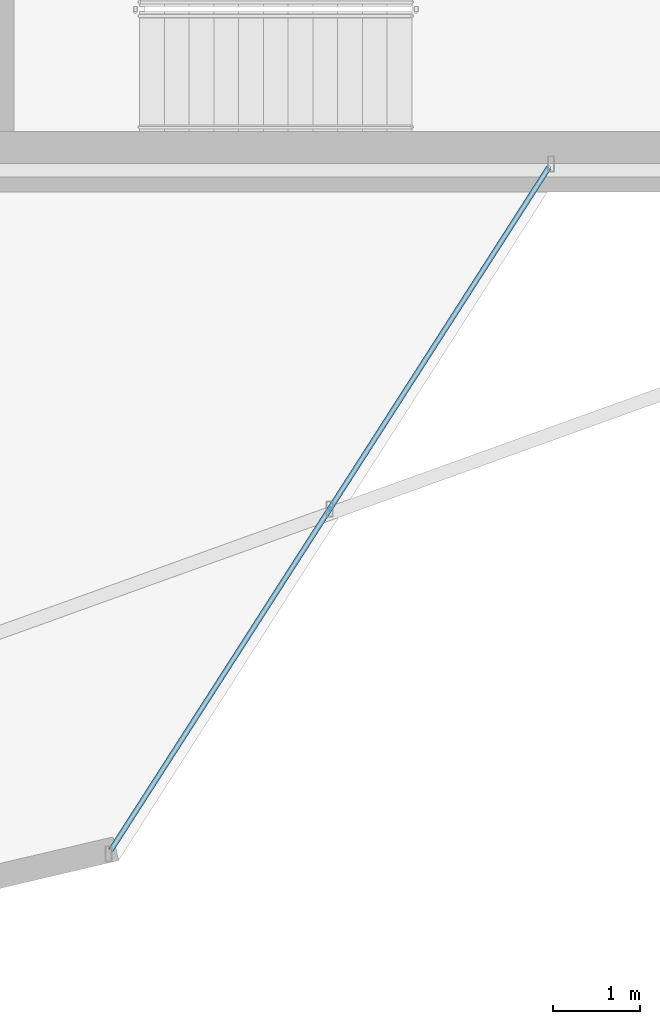
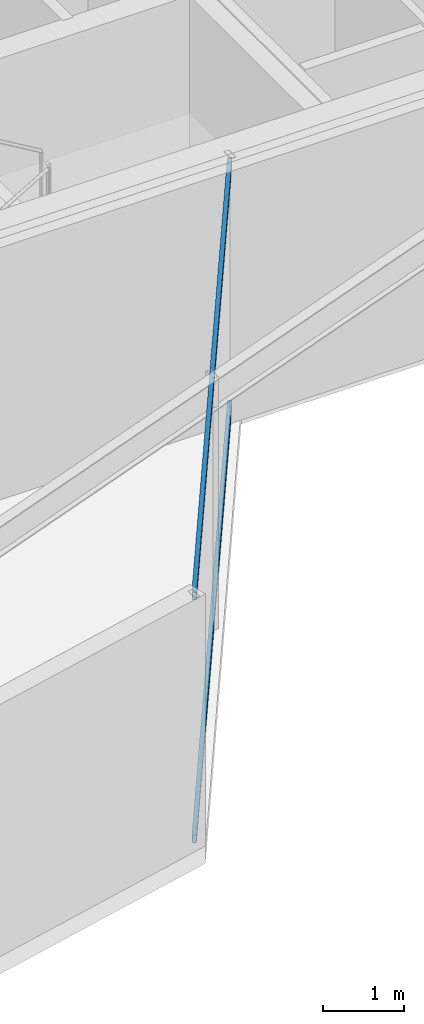
# One storey, part 7 of 23: 2 members, 1 element without a shape of its own.
"""IFC4 building model written with IfcOpenShell, lengths in metres."""

from ifc_helpers import new_model, si_unit, direction, frame, origin, origin_2d, place, context, subcontext, project, spatial, hollow_rectangle, extrude, material, layer, layer_set, material_profile, profile_set, type_object, element, aggregate, save


model = new_model("IFC4")

# Units and contexts
model_context = context("Model", 3, precision=1e-05, world=origin(), true_north=direction((0.0, 1.0)))
body_context = subcontext(model_context, "Body", "Model", "MODEL_VIEW")
ifc_project = project(units=[si_unit("LENGTHUNIT", "METRE"), si_unit("AREAUNIT", "SQUARE_METRE"), si_unit("VOLUMEUNIT", "CUBIC_METRE"), si_unit("PLANEANGLEUNIT", "RADIAN"), si_unit("MASSUNIT", "GRAM", prefix="KILO")], contexts=[model_context])

# Site, building, storey
site_placement = place(None, origin())
site = spatial("IfcSite", under=ifc_project, at=site_placement, CompositionType="ELEMENT")
building_placement = place(site_placement, origin())
building = spatial("IfcBuilding", under=site, at=building_placement, Name="Veymaron Broadcast Tower", CompositionType="ELEMENT")
storey_placement = place(building_placement, frame((0.0, 0.0, 191.85009765625)))
storey = spatial("IfcBuildingStorey", under=building, at=storey_placement, Name="L44", CompositionType="ELEMENT", Elevation=191.85009765625)

# Curtain wall, members
ifc_material_1 = material(Name="Anodised aluminium AA 6063-T6 and laminated low-E dark glass", Category="aluminium")
ifc_layer = layer(ifc_material_1, 0.179931640625)
ifc_layer_set = layer_set([ifc_layer], Name="Anodised aluminium AA 6063-T6 and laminated low-E dark glass")
curtain_wall_type = type_object("IfcCurtainWallType", Name="CW-SYS-05", PredefinedType="NOTDEFINED", material=ifc_layer_set)
curtain_wall_placement = place(storey_placement, origin())
curtain_wall = element("IfcCurtainWall", 1, at=curtain_wall_placement, inside=storey, type_object=curtain_wall_type, Name="L44 dark-glass curtain wall CW-L44-E20-1", PredefinedType="NOTDEFINED")
ifc_material_2 = material(Name="Anodised aluminium AA 6063-T6", Category="aluminium")
ifc_material_profile = material_profile(ifc_material_2, hollow_rectangle(XDim=0.06005859375, YDim=0.1201171875, WallThickness=0.00390625, at=origin_2d()), Name="AL120X60X4")
ifc_profile_set = profile_set([ifc_material_profile], Name="Anodised aluminium AA 6063-T6")
member_type = type_object("IfcMemberType", Name="CW-TRN-02", PredefinedType="USERDEFINED", material=ifc_profile_set)
member_1_placement = place(storey_placement, frame((41.095947265625, 8.167724609375, 0.06982421875), z_axis=(0.539970408513, 0.841684001232, 0.0), x_axis=(-0.841684001232, 0.539970408513, 0.0)))
member_1 = element("IfcMember", 2, at=member_1_placement, type_object=member_type, Name="CW-L44-E20-1 transom B", ObjectType="TRANSOM", PredefinedType="USERDEFINED", context=body_context, shape_type="SweptSolid", body=[
    extrude(hollow_rectangle(XDim=0.06005859375, YDim=0.1201171875, WallThickness=0.00390625, at=origin_2d()), origin(), (0.0, 0.0, 1.0), 9.34521484375),
])
member_2_placement = place(storey_placement, frame((41.095947265625, 8.167724609375, 3.719970703125), z_axis=(0.539970408513, 0.841684001232, 0.0), x_axis=(-0.841684001232, 0.539970408513, 0.0)))
member_2 = element("IfcMember", 3, at=member_2_placement, type_object=member_type, Name="CW-L44-E20-1 transom T", ObjectType="TRANSOM", PredefinedType="USERDEFINED", context=body_context, shape_type="SweptSolid", body=[
    extrude(hollow_rectangle(XDim=0.06005859375, YDim=0.1201171875, WallThickness=0.00390625, at=origin_2d()), origin(), (0.0, 0.0, 1.0), 9.34521484375),
])
aggregate(curtain_wall, [member_1, member_2])

save(model, "model.ifc")
